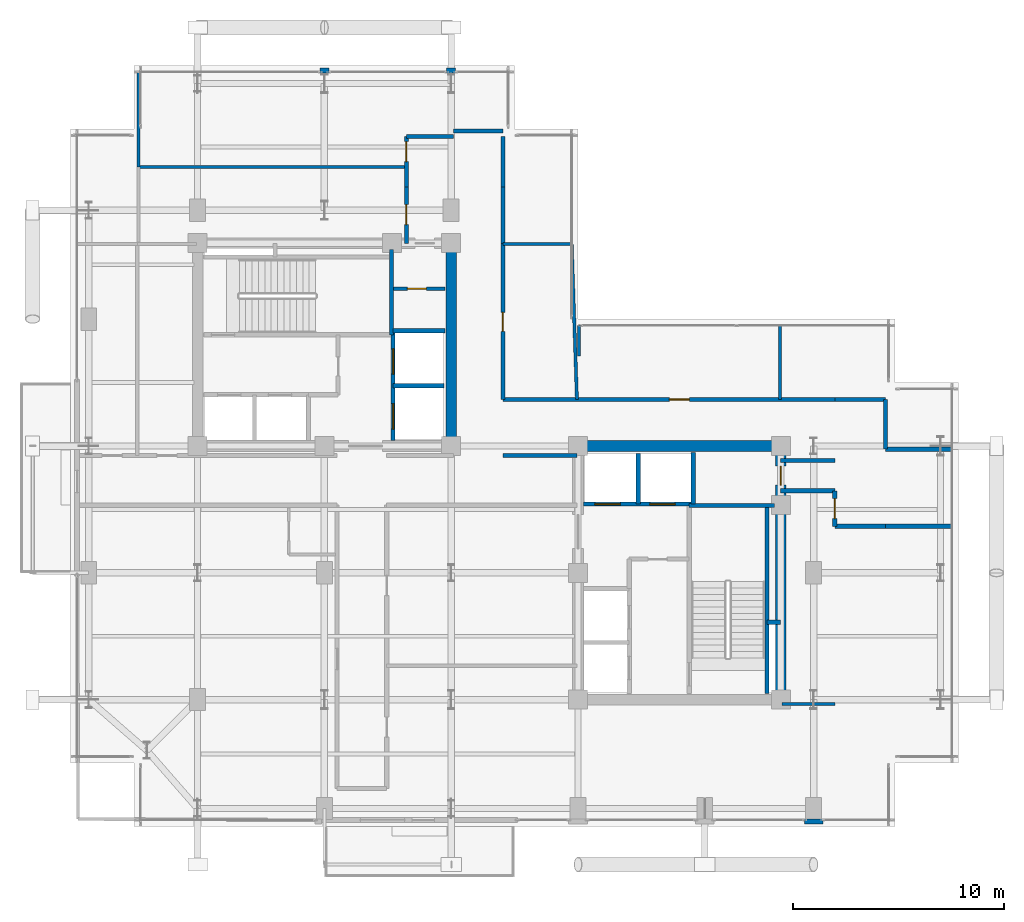
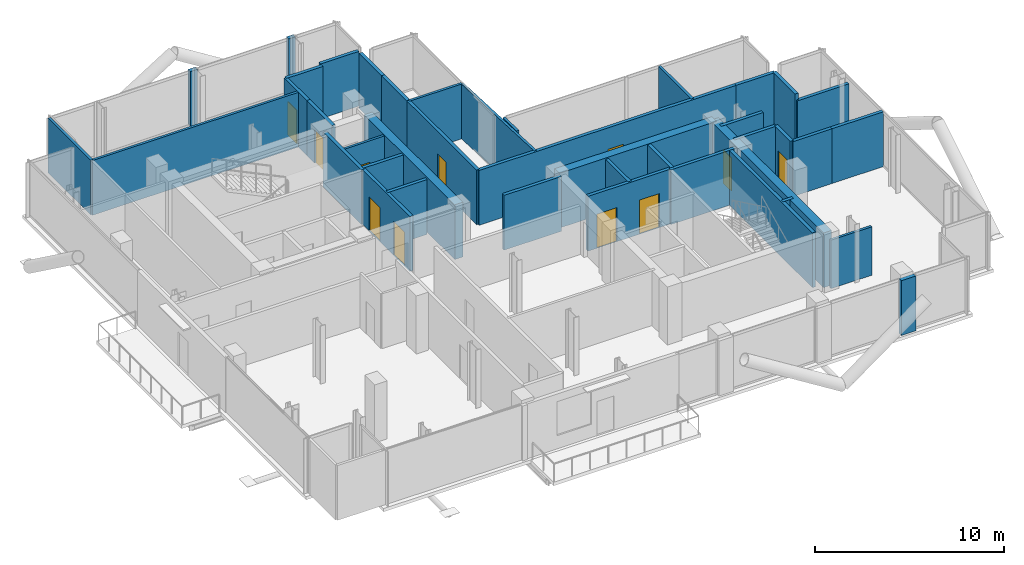
# One storey, part 18 of 21: 41 walls, 11 doors, 11 openings.
"""IFC4 building model written with IfcOpenShell, lengths in metres."""

from ifc_helpers import new_model, si_unit, direction, frame, frame_2d, origin, place, context, subcontext, project, spatial, rectangle, extrude, material, layer, layer_set, type_object, element, fill, save


model = new_model("IFC4")

# Units and contexts
model_context = context("Model", 3, precision=1e-05, world=origin(), true_north=direction((0.0, 1.0)))
body_context = subcontext(model_context, "Body", "Model", "MODEL_VIEW")
ifc_project = project(units=[si_unit("LENGTHUNIT", "METRE"), si_unit("AREAUNIT", "SQUARE_METRE"), si_unit("VOLUMEUNIT", "CUBIC_METRE"), si_unit("PLANEANGLEUNIT", "RADIAN"), si_unit("MASSUNIT", "GRAM", prefix="KILO"), si_unit("THERMODYNAMICTEMPERATUREUNIT", "KELVIN"), si_unit("POWERUNIT", "WATT")], contexts=[model_context])

# Site, building, storey
site_placement = place(None, origin())
site = spatial("IfcSite", under=ifc_project, at=site_placement, CompositionType="ELEMENT")
building_placement = place(site_placement, origin())
building = spatial("IfcBuilding", under=site, at=building_placement, Name="Svarakhadi Broadcast Tower", CompositionType="ELEMENT")
storey_placement = place(building_placement, frame((0.0, 0.0, 219.89990234375)))
storey = spatial("IfcBuildingStorey", under=building, at=storey_placement, Name="L54", CompositionType="ELEMENT", Elevation=219.89990234375)

# Walls
ifc_material_1 = material(Name="Concrete C40/50 (IS 456 M50)", Category="concrete")
ifc_layer_1 = layer(ifc_material_1, 0.239990234375)
ifc_layer_set_1 = layer_set([ifc_layer_1], Name="Concrete C40/50 (IS 456 M50)")
wall_type_1 = type_object("IfcWallType", Name="Wall_Ext_240", PredefinedType="SOLIDWALL", material=ifc_layer_set_1)
for number, where, z_axis, x_axis, name in (
    (1, (11.784912109375, 35.760009765625, 0.0), (0.0, 0.0, 1.0), (1.0, 0.0, 0.0), "L54 Perimeter Bronze Spandrel Closure Wall 01"),
    (2, (17.784912109375, 35.760009765625, 0.0), (0.0, 0.0, 1.0), (1.0, 0.0, 0.0), "L54 Perimeter Bronze Spandrel Closure Wall 02"),
):
    element("IfcWall", number, at=place(storey_placement, frame(where, z_axis=z_axis, x_axis=x_axis)), inside=storey, type_object=wall_type_1, Name=name, PredefinedType="SOLIDWALL", context=body_context, shape_type="SweptSolid", body=[
        extrude(rectangle(XDim=0.43017578125, YDim=0.239990234375, at=frame_2d((0.215087890625, 0.0))), origin(), (0.0, 0.0, 1.0), 3.5400390625),
    ])
wall_1_placement = place(storey_placement, frame((35.590087890625, 0.239990234375, 0.0), z_axis=(0.0, 0.0, 1.0), x_axis=(-1.0, 0.0, 0.0)))
element("IfcWall", 3, at=wall_1_placement, inside=storey, type_object=wall_type_1, Name="L54 Perimeter Bronze Spandrel Closure Wall 03", PredefinedType="SOLIDWALL", context=body_context, shape_type="SweptSolid", body=[
    extrude(rectangle(XDim=0.880126953125, YDim=0.239990234375, at=frame_2d((0.43994140625, 0.0))), origin(), (0.0, 0.0, 1.0), 3.5400390625),
])
ifc_layer_2 = layer(ifc_material_1, 0.199951171875)
ifc_layer_set_2 = layer_set([ifc_layer_2], Name="Concrete C40/50 (IS 456 M50)")
wall_type_2 = type_object("IfcWallType", Name="Wall_Fire_200", PredefinedType="SOLIDWALL", material=ifc_layer_set_2)
wall_2_placement = place(storey_placement, frame((32.93994140625, 9.659912109375, 0.0), z_axis=(0.0, 0.0, 1.0), x_axis=(1.0, 0.0, 0.0)))
element("IfcWall", 4, at=wall_2_placement, inside=storey, type_object=wall_type_2, Name="L54 HV Busduct Riser Shaft North Wall", PredefinedType="SOLIDWALL", context=body_context, shape_type="SweptSolid", body=[
    extrude(rectangle(XDim=0.64013671875, YDim=0.199951171875, at=frame_2d((0.320068359375, 0.0))), origin(), (0.0, 0.0, 1.0), 3.5400390625),
])

# Wall, opening, door
wall_3_placement = place(storey_placement, frame((15.8798828125, 27.580078125, 0.0), z_axis=(0.0, 0.0, 1.0), x_axis=(0.0, 1.0, 0.0)))
wall_3 = element("IfcWall", 5, at=wall_3_placement, inside=storey, type_object=wall_type_2, Name="L54 Upper Tower Concourse Wall", PredefinedType="SOLIDWALL", context=body_context, shape_type="SweptSolid", body=[
    extrude(rectangle(XDim=2.669921875, YDim=0.199951171875, at=frame_2d((1.3349609375, 0.0))), origin(), (0.0, 0.0, 1.0), 3.5400390625),
])
opening_1_placement = place(wall_3_placement, frame((0.89501953125, 0.0, 0.0)))
opening_1 = element("IfcOpeningElement", 6, at=opening_1_placement, cuts=wall_3, Name="Opening D-07", PredefinedType="OPENING", context=body_context, shape_type="SweptSolid", body=[
    extrude(rectangle(XDim=0.949951171875, YDim=2.14990234375, at=frame_2d((0.47509765625, 1.074951171875))), frame((0.0, 0.10986328125, 0.0), z_axis=(0.0, -1.0, 0.0), x_axis=(1.0, 0.0, 0.0)), (0.0, 0.0, 1.0), 0.219970703125),
])
ifc_material_2 = material(Name="Solid-Core Teak Veneer Acoustic Timber Leaf", Category="wood")
door_type_1 = type_object("IfcDoorType", Name="Door_Office_D07", OperationType="SINGLE_SWING_RIGHT", PredefinedType="DOOR", material=ifc_material_2)
door_1_placement = place(opening_1_placement, origin())
door_1 = element("IfcDoor", 7, at=door_1_placement, inside=storey, type_object=door_type_1, Name="L54 Ambassador Sky Lounge Door", OperationType="SINGLE_SWING_RIGHT", OverallHeight=2.14990234375, OverallWidth=0.949951171875, PredefinedType="DOOR", context=body_context, shape_type="SweptSolid", body=[
    extrude(rectangle(XDim=0.949951171875, YDim=2.14990234375, at=frame_2d((0.47509765625, 1.074951171875))), frame((0.0, 0.02490234375, 0.0), z_axis=(0.0, -1.0, 0.0), x_axis=(1.0, 0.0, 0.0)), (0.0, 0.0, 1.0), 0.050048828125),
])
fill(opening_1, door_1)

wall_4_placement = place(storey_placement, frame((15.8798828125, 30.25, 0.0), z_axis=(0.0, 0.0, 1.0), x_axis=(0.0, 1.0, 0.0)))
wall_4 = element("IfcWall", 8, at=wall_4_placement, inside=storey, type_object=wall_type_2, Name="L54 Upper Tower Concourse Wall", PredefinedType="SOLIDWALL", context=body_context, shape_type="SweptSolid", body=[
    extrude(rectangle(XDim=2.39990234375, YDim=0.199951171875, at=frame_2d((1.199951171875, 0.0))), origin(), (0.0, 0.0, 1.0), 3.5400390625),
])
opening_2_placement = place(wall_4_placement, frame((1.199951171875, 0.0, 0.0)))
opening_2 = element("IfcOpeningElement", 9, at=opening_2_placement, cuts=wall_4, Name="Opening D-07", PredefinedType="OPENING", context=body_context, shape_type="SweptSolid", body=[
    extrude(rectangle(XDim=0.949951171875, YDim=2.14990234375, at=frame_2d((0.47509765625, 1.074951171875))), frame((0.0, 0.10986328125, 0.0), z_axis=(0.0, -1.0, 0.0), x_axis=(1.0, 0.0, 0.0)), (0.0, 0.0, 1.0), 0.219970703125),
])
door_2_placement = place(opening_2_placement, origin())
door_2 = element("IfcDoor", 10, at=door_2_placement, inside=storey, type_object=door_type_1, Name="L54 Private Screening Boardroom Door", OperationType="SINGLE_SWING_RIGHT", OverallHeight=2.14990234375, OverallWidth=0.949951171875, PredefinedType="DOOR", context=body_context, shape_type="SweptSolid", body=[
    extrude(rectangle(XDim=0.949951171875, YDim=2.14990234375, at=frame_2d((0.47509765625, 1.074951171875))), frame((0.0, 0.02490234375, 0.0), z_axis=(0.0, -1.0, 0.0), x_axis=(1.0, 0.0, 0.0)), (0.0, 0.0, 1.0), 0.050048828125),
])
fill(opening_2, door_2)

# Walls
wall_5_placement = place(storey_placement, frame((15.8798828125, 32.64990234375, 0.0), z_axis=(0.0, 0.0, 1.0), x_axis=(1.0, 0.0, 0.0)))
element("IfcWall", 11, at=wall_5_placement, inside=storey, type_object=wall_type_2, Name="L54 Upper Tower Concourse Wall", PredefinedType="SOLIDWALL", context=body_context, shape_type="SweptSolid", body=[
    extrude(rectangle(XDim=2.22021484375, YDim=0.199951171875, at=frame_2d((1.110107421875, 0.0))), origin(), (0.0, 0.0, 1.0), 3.5400390625),
])
wall_6_placement = place(storey_placement, frame((18.10009765625, 32.89990234375, 0.0), z_axis=(0.0, 0.0, 1.0), x_axis=(1.0, 0.0, 0.0)))
element("IfcWall", 12, at=wall_6_placement, inside=storey, type_object=wall_type_2, Name="L54 Upper Tower Concourse Wall", PredefinedType="SOLIDWALL", context=body_context, shape_type="SweptSolid", body=[
    extrude(rectangle(XDim=2.349853515625, YDim=0.199951171875, at=frame_2d((1.1748046875, 0.0))), origin(), (0.0, 0.0, 1.0), 3.5400390625),
])
wall_7_placement = place(storey_placement, frame((20.449951171875, 32.64990234375, 0.0), z_axis=(0.0, 0.0, 1.0), x_axis=(0.0, -1.0, 0.0)))
element("IfcWall", 13, at=wall_7_placement, inside=storey, type_object=wall_type_2, Name="L54 Upper Tower Concourse Wall", PredefinedType="SOLIDWALL", context=body_context, shape_type="SweptSolid", body=[
    extrude(rectangle(XDim=2.39990234375, YDim=0.199951171875, at=frame_2d((1.199951171875, 0.0))), origin(), (0.0, 0.0, 1.0), 3.5400390625),
])
wall_8_placement = place(storey_placement, frame((20.449951171875, 30.25, 0.0), z_axis=(0.0, 0.0, 1.0), x_axis=(0.0, -1.0, 0.0)))
element("IfcWall", 14, at=wall_8_placement, inside=storey, type_object=wall_type_2, Name="L54 Upper Tower Concourse Wall", PredefinedType="SOLIDWALL", context=body_context, shape_type="SweptSolid", body=[
    extrude(rectangle(XDim=2.669921875, YDim=0.199951171875, at=frame_2d((1.3349609375, 0.0))), origin(), (0.0, 0.0, 1.0), 3.5400390625),
])

# Wall, opening, door
wall_9_placement = place(storey_placement, frame((20.449951171875, 27.580078125, 0.0), z_axis=(0.0, 0.0, 1.0), x_axis=(0.0, -1.0, 0.0)))
wall_9 = element("IfcWall", 15, at=wall_9_placement, inside=storey, type_object=wall_type_2, Name="L54 Upper Tower Concourse Wall", PredefinedType="SOLIDWALL", context=body_context, shape_type="SweptSolid", body=[
    extrude(rectangle(XDim=7.380126953125, YDim=0.199951171875, at=frame_2d((3.68994140625, 0.0))), origin(), (0.0, 0.0, 1.0), 3.5400390625),
])
opening_3_placement = place(wall_9_placement, frame((3.2548828125, 0.0, 0.0)))
opening_3 = element("IfcOpeningElement", 16, at=opening_3_placement, cuts=wall_9, Name="Opening D-12", PredefinedType="OPENING", context=body_context, shape_type="SweptSolid", body=[
    extrude(rectangle(XDim=0.89990234375, YDim=2.10009765625, at=frame_2d((0.449951171875, 1.050048828125))), frame((0.0, 0.10986328125, 0.0), z_axis=(0.0, -1.0, 0.0), x_axis=(1.0, 0.0, 0.0)), (0.0, 0.0, 1.0), 0.219970703125),
])
door_type_2 = type_object("IfcDoorType", Name="Door_WC_D01", OperationType="SINGLE_SWING_LEFT", PredefinedType="DOOR", material=ifc_material_2)
door_3_placement = place(opening_3_placement, origin())
door_3 = element("IfcDoor", 17, at=door_3_placement, inside=storey, type_object=door_type_2, Name="L54 Accessible Visitor Washroom WC Door", OperationType="SINGLE_SWING_LEFT", OverallHeight=2.10009765625, OverallWidth=0.89990234375, PredefinedType="DOOR", context=body_context, shape_type="SweptSolid", body=[
    extrude(rectangle(XDim=0.89990234375, YDim=2.10009765625, at=frame_2d((0.449951171875, 1.050048828125))), frame((0.0, 0.02490234375, 0.0), z_axis=(0.0, -1.0, 0.0), x_axis=(1.0, 0.0, 0.0)), (0.0, 0.0, 1.0), 0.050048828125),
])
fill(opening_3, door_3)

wall_10_placement = place(storey_placement, frame((20.449951171875, 20.199951171875, 0.0), z_axis=(0.0, 0.0, 1.0), x_axis=(1.0, 0.0, 0.0)))
wall_10 = element("IfcWall", 18, at=wall_10_placement, inside=storey, type_object=wall_type_2, Name="L54 Upper Tower Concourse Wall", PredefinedType="SOLIDWALL", context=body_context, shape_type="SweptSolid", body=[
    extrude(rectangle(XDim=15.699951171875, YDim=0.199951171875, at=frame_2d((7.85009765625, 0.0))), origin(), (0.0, 0.0, 1.0), 3.5400390625),
])
opening_4_placement = place(wall_10_placement, frame((7.875, 0.0, 0.0)))
opening_4 = element("IfcOpeningElement", 19, at=opening_4_placement, cuts=wall_10, Name="Opening D-07", PredefinedType="OPENING", context=body_context, shape_type="SweptSolid", body=[
    extrude(rectangle(XDim=0.949951171875, YDim=2.14990234375, at=frame_2d((0.47509765625, 1.074951171875))), frame((0.0, 0.10986328125, 0.0), z_axis=(0.0, -1.0, 0.0), x_axis=(1.0, 0.0, 0.0)), (0.0, 0.0, 1.0), 0.219970703125),
])
door_4_placement = place(opening_4_placement, origin())
door_4 = element("IfcDoor", 20, at=door_4_placement, inside=storey, type_object=door_type_1, Name="L54 Harbour Sky Club Reading Room Door", OperationType="SINGLE_SWING_RIGHT", OverallHeight=2.14990234375, OverallWidth=0.949951171875, PredefinedType="DOOR", context=body_context, shape_type="SweptSolid", body=[
    extrude(rectangle(XDim=0.949951171875, YDim=2.14990234375, at=frame_2d((0.47509765625, 1.074951171875))), frame((0.0, 0.02490234375, 0.0), z_axis=(0.0, -1.0, 0.0), x_axis=(1.0, 0.0, 0.0)), (0.0, 0.0, 1.0), 0.050048828125),
])
fill(opening_4, door_4)

# Walls
wall_11_placement = place(storey_placement, frame((36.14990234375, 20.199951171875, 0.0), z_axis=(0.0, 0.0, 1.0), x_axis=(1.0, 0.0, 0.0)))
element("IfcWall", 21, at=wall_11_placement, inside=storey, type_object=wall_type_2, Name="L54 Upper Tower Concourse Wall", PredefinedType="SOLIDWALL", context=body_context, shape_type="SweptSolid", body=[
    extrude(rectangle(XDim=2.400146484375, YDim=0.199951171875, at=frame_2d((1.2001953125, 0.0))), origin(), (0.0, 0.0, 1.0), 3.5400390625),
])
wall_12_placement = place(storey_placement, frame((38.550048828125, 20.199951171875, 0.0), z_axis=(0.0, 0.0, 1.0), x_axis=(0.0, -1.0, 0.0)))
element("IfcWall", 22, at=wall_12_placement, inside=storey, type_object=wall_type_2, Name="L54 Upper Tower Concourse Wall", PredefinedType="SOLIDWALL", context=body_context, shape_type="SweptSolid", body=[
    extrude(rectangle(XDim=2.349853515625, YDim=0.199951171875, at=frame_2d((1.1748046875, 0.0))), origin(), (0.0, 0.0, 1.0), 3.5400390625),
])
wall_13_placement = place(storey_placement, frame((38.550048828125, 17.85009765625, 0.0), z_axis=(0.0, 0.0, 1.0), x_axis=(1.0, 0.0, 0.0)))
element("IfcWall", 23, at=wall_13_placement, inside=storey, type_object=wall_type_2, Name="L54 Upper Tower Concourse Wall", PredefinedType="SOLIDWALL", context=body_context, shape_type="SweptSolid", body=[
    extrude(rectangle(XDim=3.14990234375, YDim=0.199951171875, at=frame_2d((1.574951171875, 0.0))), origin(), (0.0, 0.0, 1.0), 3.132080078125),
])
wall_14_placement = place(storey_placement, frame((41.699951171875, 14.199951171875, 0.0), z_axis=(0.0, 0.0, 1.0), x_axis=(-1.0, 0.0, 0.0)))
element("IfcWall", 24, at=wall_14_placement, inside=storey, type_object=wall_type_2, Name="L54 Upper Tower Concourse Wall", PredefinedType="SOLIDWALL", context=body_context, shape_type="SweptSolid", body=[
    extrude(rectangle(XDim=3.14990234375, YDim=0.199951171875, at=frame_2d((1.574951171875, 0.0))), origin(), (0.0, 0.0, 1.0), 3.5400390625),
])
wall_15_placement = place(storey_placement, frame((38.550048828125, 14.199951171875, 0.0), z_axis=(0.0, 0.0, 1.0), x_axis=(-1.0, 0.0, 0.0)))
element("IfcWall", 25, at=wall_15_placement, inside=storey, type_object=wall_type_2, Name="L54 Upper Tower Concourse Wall", PredefinedType="SOLIDWALL", context=body_context, shape_type="SweptSolid", body=[
    extrude(rectangle(XDim=2.400146484375, YDim=0.199951171875, at=frame_2d((1.2001953125, 0.0))), origin(), (0.0, 0.0, 1.0), 3.5400390625),
])

# Wall, opening, door
wall_16_placement = place(storey_placement, frame((36.14990234375, 14.199951171875, 0.0), z_axis=(0.0, 0.0, 1.0), x_axis=(0.0, 1.0, 0.0)))
wall_16 = element("IfcWall", 26, at=wall_16_placement, inside=storey, type_object=wall_type_2, Name="L54 Upper Tower Concourse Wall", PredefinedType="SOLIDWALL", context=body_context, shape_type="SweptSolid", body=[
    extrude(rectangle(XDim=1.679931640625, YDim=0.199951171875, at=frame_2d((0.83984375, 0.0))), origin(), (0.0, 0.0, 1.0), 3.5400390625),
])
opening_5_placement = place(wall_16_placement, frame((0.364990234375, 0.0, 0.0)))
opening_5 = element("IfcOpeningElement", 27, at=opening_5_placement, cuts=wall_16, Name="Opening D-06", PredefinedType="OPENING", context=body_context, shape_type="SweptSolid", body=[
    extrude(rectangle(XDim=0.949951171875, YDim=2.14990234375, at=frame_2d((0.47509765625, 1.074951171875))), frame((0.0, 0.10986328125, 0.0), z_axis=(0.0, -1.0, 0.0), x_axis=(1.0, 0.0, 0.0)), (0.0, 0.0, 1.0), 0.219970703125),
])
door_type_3 = type_object("IfcDoorType", Name="Door_Office_D06", OperationType="SINGLE_SWING_LEFT", PredefinedType="DOOR", material=ifc_material_2)
door_5_placement = place(opening_5_placement, origin())
door_5 = element("IfcDoor", 28, at=door_5_placement, inside=storey, type_object=door_type_3, Name="L54 Harbour Club Reading Salon Door", OperationType="SINGLE_SWING_LEFT", OverallHeight=2.14990234375, OverallWidth=0.949951171875, PredefinedType="DOOR", context=body_context, shape_type="SweptSolid", body=[
    extrude(rectangle(XDim=0.949951171875, YDim=2.14990234375, at=frame_2d((0.47509765625, 1.074951171875))), frame((0.0, 0.02490234375, 0.0), z_axis=(0.0, -1.0, 0.0), x_axis=(1.0, 0.0, 0.0)), (0.0, 0.0, 1.0), 0.050048828125),
])
fill(opening_5, door_5)

# Walls
for number, where, z_axis, x_axis, name in (
    (29, (36.14990234375, 15.8798828125, 0.0), (0.0, 0.0, 1.0), (-1.0, 0.0, 0.0), "L54 Upper Tower Concourse Wall"),
    (30, (33.580078125, 17.320068359375, 0.0), (0.0, 0.0, 1.0), (1.0, 0.0, 0.0), "L54 Upper Tower Concourse Wall"),
):
    element("IfcWall", number, at=place(storey_placement, frame(where, z_axis=z_axis, x_axis=x_axis)), inside=storey, type_object=wall_type_2, Name=name, PredefinedType="SOLIDWALL", context=body_context, shape_type="SweptSolid", body=[
        extrude(rectangle(XDim=2.56982421875, YDim=0.199951171875, at=frame_2d((1.284912109375, 0.0))), origin(), (0.0, 0.0, 1.0), 3.5400390625),
    ])
wall_17_placement = place(storey_placement, frame((20.449951171875, 17.550048828125, 0.0), z_axis=(0.0, 0.0, 1.0), x_axis=(1.0, 0.0, 0.0)))
element("IfcWall", 31, at=wall_17_placement, inside=storey, type_object=wall_type_2, Name="L54 Upper Tower Concourse Wall", PredefinedType="SOLIDWALL", context=body_context, shape_type="SweptSolid", body=[
    extrude(rectangle(XDim=3.5, YDim=0.199951171875, at=frame_2d((1.75, 0.0))), origin(), (0.0, 0.0, 1.0), 3.5400390625),
])

# Wall, opening, door
ifc_material_3 = material(Name="Autoclaved Aerated Concrete Blockwork 150 mm", Category="masonry")
ifc_layer_3 = layer(ifc_material_3, 0.14990234375)
ifc_layer_set_3 = layer_set([ifc_layer_3], Name="Autoclaved Aerated Concrete Blockwork 150 mm")
wall_type_3 = type_object("IfcWallType", Name="Wall_Part_150", PredefinedType="PARTITIONING", material=ifc_layer_set_3)
wall_18_placement = place(storey_placement, frame((15.280029296875, 25.43994140625, 0.0), z_axis=(0.0, 0.0, 1.0), x_axis=(1.0, 0.0, 0.0)))
wall_18 = element("IfcWall", 32, at=wall_18_placement, inside=storey, type_object=wall_type_3, Name="L54 West Core Service Split Wall", PredefinedType="PARTITIONING", context=body_context, shape_type="SweptSolid", body=[
    extrude(rectangle(XDim=2.419921875, YDim=0.14990234375, at=frame_2d((1.2099609375, 0.0))), origin(), (0.0, 0.0, 1.0), 3.5400390625),
])
opening_6_placement = place(wall_18_placement, frame((0.64990234375, 0.0, 0.0)))
opening_6 = element("IfcOpeningElement", 33, at=opening_6_placement, cuts=wall_18, Name="Opening D-04", PredefinedType="OPENING", context=body_context, shape_type="SweptSolid", body=[
    extrude(rectangle(XDim=0.89990234375, YDim=2.14990234375, at=frame_2d((0.449951171875, 1.074951171875))), frame((0.0, 0.0849609375, 0.0), z_axis=(0.0, -1.0, 0.0), x_axis=(1.0, 0.0, 0.0)), (0.0, 0.0, 1.0), 0.169921875),
])
ifc_material_4 = material(Name="Galvanised Powder-Coated Fire-Rated Steel Leaf", Category="steel")
door_type_4 = type_object("IfcDoorType", Name="Door_Fire_D04", OperationType="SINGLE_SWING_RIGHT", PredefinedType="DOOR", material=ifc_material_4)
door_6_placement = place(opening_6_placement, origin())
door_6 = element("IfcDoor", 34, at=door_6_placement, inside=storey, type_object=door_type_4, Name="L54 West Core Inner Store Door", OperationType="SINGLE_SWING_RIGHT", OverallHeight=2.14990234375, OverallWidth=0.89990234375, PredefinedType="DOOR", context=body_context, shape_type="SweptSolid", body=[
    extrude(rectangle(XDim=0.89990234375, YDim=2.14990234375, at=frame_2d((0.449951171875, 1.074951171875))), frame((0.0, 0.02490234375, 0.0), z_axis=(0.0, -1.0, 0.0), x_axis=(1.0, 0.0, 0.0)), (0.0, 0.0, 1.0), 0.050048828125),
])
fill(opening_6, door_6)

# Walls
wall_19_placement = place(storey_placement, frame((20.449951171875, 27.550048828125, 0.0), z_axis=(0.0, 0.0, 1.0), x_axis=(1.0, 0.0, 0.0)))
element("IfcWall", 35, at=wall_19_placement, inside=storey, type_object=wall_type_3, Name="L54 Accessible Visitor Washroom WC Wall", PredefinedType="PARTITIONING", context=body_context, shape_type="SweptSolid", body=[
    extrude(rectangle(XDim=3.25, YDim=0.14990234375, at=frame_2d((1.625, 0.0))), origin(), (0.0, 0.0, 1.0), 3.5400390625),
])
wall_20_placement = place(storey_placement, frame((23.949951171875, 20.199951171875, 0.0), z_axis=(0.0, 0.0, 1.0), x_axis=(-0.033993495762, 0.999422054112, 0.0)))
element("IfcWall", 36, at=wall_20_placement, inside=storey, type_object=wall_type_3, Name="L54 Accessible Visitor Washroom WC Wall", PredefinedType="PARTITIONING", context=body_context, shape_type="SweptSolid", body=[
    extrude(rectangle(XDim=7.354248046875, YDim=0.14990234375, at=frame_2d((3.67724609375, 0.0))), origin(), (0.0, 0.0, 1.0), 3.5400390625),
])
wall_21_placement = place(storey_placement, frame((24.050048828125, 22.260986328125, 0.0), z_axis=(0.0, 0.0, 1.0), x_axis=(0.0, 1.0, 0.0)))
element("IfcWall", 37, at=wall_21_placement, inside=storey, type_object=wall_type_3, Name="L54 Harbour Sky Club Reading Room Wall", PredefinedType="PARTITIONING", context=body_context, shape_type="SweptSolid", body=[
    extrude(rectangle(XDim=1.43896484375, YDim=0.14990234375, at=frame_2d((0.719482421875, 0.0))), origin(), (0.0, 0.0, 1.0), 3.5400390625),
])
wall_22_placement = place(storey_placement, frame((33.550048828125, 20.199951171875, 0.0), z_axis=(0.0, 0.0, 1.0), x_axis=(0.0, 1.0, 0.0)))
element("IfcWall", 38, at=wall_22_placement, inside=storey, type_object=wall_type_3, Name="L54 Harbour Sky Club Reading Room Wall", PredefinedType="PARTITIONING", context=body_context, shape_type="SweptSolid", body=[
    extrude(rectangle(XDim=3.5, YDim=0.14990234375, at=frame_2d((1.75, 0.0))), origin(), (0.0, 0.0, 1.0), 3.5400390625),
])
wall_23_placement = place(storey_placement, frame((33.64990234375, 5.800048828125, 0.0), z_axis=(0.0, 0.0, 1.0), x_axis=(1.0, 0.0, 0.0)))
element("IfcWall", 39, at=wall_23_placement, inside=storey, type_object=wall_type_3, Name="L54 Harbour Club Reading Salon Wall", PredefinedType="PARTITIONING", context=body_context, shape_type="SweptSolid", body=[
    extrude(rectangle(XDim=2.5, YDim=0.14990234375, at=frame_2d((1.25, 0.0))), origin(), (0.0, 0.0, 1.0), 3.132080078125),
])
wall_24_placement = place(storey_placement, frame((3.199951171875, 31.199951171875, 0.0), z_axis=(0.0, 0.0, 1.0), x_axis=(1.0, 0.0, 0.0)))
element("IfcWall", 40, at=wall_24_placement, inside=storey, type_object=wall_type_3, Name="L54 Ambassador Sky Lounge Wall", PredefinedType="PARTITIONING", context=body_context, shape_type="SweptSolid", body=[
    extrude(rectangle(XDim=12.679931640625, YDim=0.14990234375, at=frame_2d((6.33984375, 0.0))), origin(), (0.0, 0.0, 1.0), 3.5400390625),
])
wall_25_placement = place(storey_placement, frame((3.199951171875, 31.199951171875, 0.0), z_axis=(0.0, 0.0, 1.0), x_axis=(0.0, 1.0, 0.0)))
element("IfcWall", 41, at=wall_25_placement, inside=storey, type_object=wall_type_3, Name="L54 Private Screening Boardroom Wall", PredefinedType="PARTITIONING", context=body_context, shape_type="SweptSolid", body=[
    extrude(rectangle(XDim=4.5, YDim=0.14990234375, at=frame_2d((2.25, 0.0))), origin(), (0.0, 0.0, 1.0), 3.5400390625),
])
ifc_material_5 = material(Name="Concrete C50/60 (IS 456 M60)", Category="concrete")
ifc_layer_4 = layer(ifc_material_5, 0.199951171875)
ifc_layer_set_4 = layer_set([ifc_layer_4], Name="Concrete C50/60 (IS 456 M60)")
wall_type_4 = type_object("IfcWallType", Name="Wall_Shear_200", PredefinedType="SHEAR", material=ifc_layer_set_4)
wall_26_placement = place(storey_placement, frame((15.179931640625, 23.260009765625, 0.0), z_axis=(0.0, 0.0, 1.0), x_axis=(0.0, 1.0, 0.0)))
element("IfcWall", 42, at=wall_26_placement, inside=storey, type_object=wall_type_4, Name="L54 Stair ST-01 East RC Shaft Wall", PredefinedType="SHEAR", context=body_context, shape_type="SweptSolid", body=[
    extrude(rectangle(XDim=4.0400390625, YDim=0.199951171875, at=frame_2d((2.02001953125, 0.0))), origin(), (0.0, 0.0, 1.0), 3.5400390625),
])
wall_27_placement = place(storey_placement, frame((32.93994140625, 6.300048828125, 0.0), z_axis=(0.0, 0.0, 1.0), x_axis=(0.0, 1.0, 0.0)))
element("IfcWall", 43, at=wall_27_placement, inside=storey, type_object=wall_type_4, Name="L54 Stair ST-02 East RC Shaft Wall", PredefinedType="SHEAR", context=body_context, shape_type="SweptSolid", body=[
    extrude(rectangle(XDim=8.8798828125, YDim=0.199951171875, at=frame_2d((4.43994140625, 0.0))), origin(), (0.0, 0.0, 1.0), 3.5400390625),
])
wall_28_placement = place(storey_placement, frame((29.260009765625, 15.179931640625, 0.0), z_axis=(0.0, 0.0, 1.0), x_axis=(1.0, 0.0, 0.0)))
element("IfcWall", 44, at=wall_28_placement, inside=storey, type_object=wall_type_4, Name="L54 Stair ST-02 North RC Shaft Wall", PredefinedType="SHEAR", context=body_context, shape_type="SweptSolid", body=[
    extrude(rectangle(XDim=4.0400390625, YDim=0.199951171875, at=frame_2d((2.02001953125, 0.0))), origin(), (0.0, 0.0, 1.0), 3.5400390625),
])

# Wall, openings, doors
wall_29_placement = place(storey_placement, frame((15.25, 18.25, 0.0), z_axis=(0.0, 0.0, 1.0), x_axis=(0.0, 1.0, 0.0)))
wall_29 = element("IfcWall", 45, at=wall_29_placement, inside=storey, type_object=wall_type_4, Name="L54 High-Rise Lift LF-13/14 West Shaft Wall", PredefinedType="SHEAR", context=body_context, shape_type="SweptSolid", body=[
    extrude(rectangle(XDim=5.199951171875, YDim=0.199951171875, at=frame_2d((2.60009765625, 0.0))), origin(), (0.0, 0.0, 1.0), 3.5400390625),
])
opening_7_placement = place(wall_29_placement, frame((0.550048828125, 0.0, 0.0)))
opening_7 = element("IfcOpeningElement", 46, at=opening_7_placement, cuts=wall_29, Name="Opening LD-02", PredefinedType="OPENING", context=body_context, shape_type="SweptSolid", body=[
    extrude(rectangle(XDim=1.199951171875, YDim=2.199951171875, at=frame_2d((0.60009765625, 1.10009765625))), frame((0.0, 0.10986328125, 0.0), z_axis=(0.0, -1.0, 0.0), x_axis=(1.0, 0.0, 0.0)), (0.0, 0.0, 1.0), 0.219970703125),
])
opening_8_placement = place(wall_29_placement, frame((3.14990234375, 0.0, 0.0)))
opening_8 = element("IfcOpeningElement", 47, at=opening_8_placement, cuts=wall_29, Name="Opening LD-02", PredefinedType="OPENING", context=body_context, shape_type="SweptSolid", body=[
    extrude(rectangle(XDim=1.199951171875, YDim=2.199951171875, at=frame_2d((0.60009765625, 1.10009765625))), frame((0.0, 0.10986328125, 0.0), z_axis=(0.0, -1.0, 0.0), x_axis=(1.0, 0.0, 0.0)), (0.0, 0.0, 1.0), 0.219970703125),
])
door_type_5 = type_object("IfcDoorType", Name="Door_Lift_LD02", OperationType="SLIDING_TO_RIGHT", PredefinedType="DOOR", material=ifc_material_4)
door_7_placement = place(opening_7_placement, origin())
door_7 = element("IfcDoor", 48, at=door_7_placement, inside=storey, type_object=door_type_5, Name="L54 High-Rise Lift LF-13 Landing Door", OperationType="SLIDING_TO_RIGHT", OverallHeight=2.199951171875, OverallWidth=1.199951171875, PredefinedType="DOOR", context=body_context, shape_type="SweptSolid", body=[
    extrude(rectangle(XDim=1.199951171875, YDim=2.199951171875, at=frame_2d((0.60009765625, 1.10009765625))), frame((0.0, 0.02490234375, 0.0), z_axis=(0.0, -1.0, 0.0), x_axis=(1.0, 0.0, 0.0)), (0.0, 0.0, 1.0), 0.050048828125),
])
fill(opening_7, door_7)
door_8_placement = place(opening_8_placement, origin())
door_8 = element("IfcDoor", 49, at=door_8_placement, inside=storey, type_object=door_type_5, Name="L54 High-Rise Lift LF-14 Landing Door", OperationType="SLIDING_TO_RIGHT", OverallHeight=2.199951171875, OverallWidth=1.199951171875, PredefinedType="DOOR", context=body_context, shape_type="SweptSolid", body=[
    extrude(rectangle(XDim=1.199951171875, YDim=2.199951171875, at=frame_2d((0.60009765625, 1.10009765625))), frame((0.0, 0.02490234375, 0.0), z_axis=(0.0, -1.0, 0.0), x_axis=(1.0, 0.0, 0.0)), (0.0, 0.0, 1.0), 0.050048828125),
])
fill(opening_8, door_8)

# Walls
wall_30_placement = place(storey_placement, frame((15.25, 20.85009765625, 0.0), z_axis=(0.0, 0.0, 1.0), x_axis=(1.0, 0.0, 0.0)))
element("IfcWall", 50, at=wall_30_placement, inside=storey, type_object=wall_type_4, Name="L54 High-Rise Lift LF-13/14 Divider", PredefinedType="SHEAR", context=body_context, shape_type="SweptSolid", body=[
    extrude(rectangle(XDim=2.39990234375, YDim=0.199951171875, at=frame_2d((1.199951171875, 0.0))), origin(), (0.0, 0.0, 1.0), 3.5400390625),
])
wall_31_placement = place(storey_placement, frame((15.25, 23.449951171875, 0.0), z_axis=(0.0, 0.0, 1.0), x_axis=(1.0, 0.0, 0.0)))
element("IfcWall", 51, at=wall_31_placement, inside=storey, type_object=wall_type_4, Name="L54 High-Rise Lift LF-13/14 North Wall", PredefinedType="SHEAR", context=body_context, shape_type="SweptSolid", body=[
    extrude(rectangle(XDim=2.449951171875, YDim=0.199951171875, at=frame_2d((1.22509765625, 0.0))), origin(), (0.0, 0.0, 1.0), 3.5400390625),
])

# Wall, openings, doors
wall_32_placement = place(storey_placement, frame((24.25, 15.25, 0.0), z_axis=(0.0, 0.0, 1.0), x_axis=(1.0, 0.0, 0.0)))
wall_32 = element("IfcWall", 52, at=wall_32_placement, inside=storey, type_object=wall_type_4, Name="L54 High-Rise Lift LF-15/16 South Shaft Wall", PredefinedType="SHEAR", context=body_context, shape_type="SweptSolid", body=[
    extrude(rectangle(XDim=5.199951171875, YDim=0.199951171875, at=frame_2d((2.60009765625, 0.0))), origin(), (0.0, 0.0, 1.0), 3.5400390625),
])
opening_9_placement = place(wall_32_placement, frame((0.550048828125, 0.0, 0.0)))
opening_9 = element("IfcOpeningElement", 53, at=opening_9_placement, cuts=wall_32, Name="Opening LD-02", PredefinedType="OPENING", context=body_context, shape_type="SweptSolid", body=[
    extrude(rectangle(XDim=1.199951171875, YDim=2.199951171875, at=frame_2d((0.60009765625, 1.10009765625))), frame((0.0, 0.10986328125, 0.0), z_axis=(0.0, -1.0, 0.0), x_axis=(1.0, 0.0, 0.0)), (0.0, 0.0, 1.0), 0.219970703125),
])
opening_10_placement = place(wall_32_placement, frame((3.14990234375, 0.0, 0.0)))
opening_10 = element("IfcOpeningElement", 54, at=opening_10_placement, cuts=wall_32, Name="Opening LD-02", PredefinedType="OPENING", context=body_context, shape_type="SweptSolid", body=[
    extrude(rectangle(XDim=1.199951171875, YDim=2.199951171875, at=frame_2d((0.60009765625, 1.10009765625))), frame((0.0, 0.10986328125, 0.0), z_axis=(0.0, -1.0, 0.0), x_axis=(1.0, 0.0, 0.0)), (0.0, 0.0, 1.0), 0.219970703125),
])
door_9_placement = place(opening_9_placement, origin())
door_9 = element("IfcDoor", 55, at=door_9_placement, inside=storey, type_object=door_type_5, Name="L54 High-Rise Lift LF-15 Landing Door", OperationType="SLIDING_TO_RIGHT", OverallHeight=2.199951171875, OverallWidth=1.199951171875, PredefinedType="DOOR", context=body_context, shape_type="SweptSolid", body=[
    extrude(rectangle(XDim=1.199951171875, YDim=2.199951171875, at=frame_2d((0.60009765625, 1.10009765625))), frame((0.0, 0.02490234375, 0.0), z_axis=(0.0, -1.0, 0.0), x_axis=(1.0, 0.0, 0.0)), (0.0, 0.0, 1.0), 0.050048828125),
])
fill(opening_9, door_9)
door_10_placement = place(opening_10_placement, origin())
door_10 = element("IfcDoor", 56, at=door_10_placement, inside=storey, type_object=door_type_5, Name="L54 High-Rise Lift LF-16 Landing Door", OperationType="SLIDING_TO_RIGHT", OverallHeight=2.199951171875, OverallWidth=1.199951171875, PredefinedType="DOOR", context=body_context, shape_type="SweptSolid", body=[
    extrude(rectangle(XDim=1.199951171875, YDim=2.199951171875, at=frame_2d((0.60009765625, 1.10009765625))), frame((0.0, 0.02490234375, 0.0), z_axis=(0.0, -1.0, 0.0), x_axis=(1.0, 0.0, 0.0)), (0.0, 0.0, 1.0), 0.050048828125),
])
fill(opening_10, door_10)

# Walls
wall_33_placement = place(storey_placement, frame((26.85009765625, 15.25, 0.0), z_axis=(0.0, 0.0, 1.0), x_axis=(0.0, 1.0, 0.0)))
element("IfcWall", 57, at=wall_33_placement, inside=storey, type_object=wall_type_4, Name="L54 High-Rise Lift LF-15/16 Divider", PredefinedType="SHEAR", context=body_context, shape_type="SweptSolid", body=[
    extrude(rectangle(XDim=2.39990234375, YDim=0.199951171875, at=frame_2d((1.199951171875, 0.0))), origin(), (0.0, 0.0, 1.0), 3.5400390625),
])
wall_34_placement = place(storey_placement, frame((29.449951171875, 15.25, 0.0), z_axis=(0.0, 0.0, 1.0), x_axis=(0.0, 1.0, 0.0)))
element("IfcWall", 58, at=wall_34_placement, inside=storey, type_object=wall_type_4, Name="L54 High-Rise Lift LF-15/16 East Wall", PredefinedType="SHEAR", context=body_context, shape_type="SweptSolid", body=[
    extrude(rectangle(XDim=2.449951171875, YDim=0.199951171875, at=frame_2d((1.22509765625, 0.0))), origin(), (0.0, 0.0, 1.0), 3.5400390625),
])
ifc_layer_5 = layer(ifc_material_5, 0.5)
ifc_layer_set_5 = layer_set([ifc_layer_5], Name="Concrete C50/60 (IS 456 M60)")
wall_type_5 = type_object("IfcWallType", Name="Wall_Shear_500", PredefinedType="SHEAR", material=ifc_layer_set_5)
for number, where, z_axis, x_axis, name in (
    (59, (18.0, 18.0, 0.0), (0.0, 0.0, 1.0), (0.0, 1.0, 0.0), "L54 West Core East Shear Wall"),
    (60, (24.0, 18.0, 0.0), (0.0, 0.0, 1.0), (1.0, 0.0, 0.0), "L54 East Core North Shear Wall"),
):
    element("IfcWall", number, at=place(storey_placement, frame(where, z_axis=z_axis, x_axis=x_axis)), inside=storey, type_object=wall_type_5, Name=name, PredefinedType="SHEAR", context=body_context, shape_type="SweptSolid", body=[
        extrude(rectangle(XDim=9.60009765625, YDim=0.5, at=frame_2d((4.800048828125, 0.0))), origin(), (0.0, 0.0, 1.0), 3.5400390625),
    ])

# Wall, opening, door
wall_35_placement = place(storey_placement, frame((33.60009765625, 6.0, 0.0), z_axis=(0.0, 0.0, 1.0), x_axis=(0.0, 1.0, 0.0)))
wall_35 = element("IfcWall", 61, at=wall_35_placement, inside=storey, type_object=wall_type_5, Name="L54 East Core East Shear Wall", PredefinedType="SHEAR", context=body_context, shape_type="SweptSolid", body=[
    extrude(rectangle(XDim=12.0, YDim=0.5, at=frame_2d((6.0, 0.0))), origin(), (0.0, 0.0, 1.0), 3.5400390625),
])
opening_11_placement = place(wall_35_placement, frame((10.14990234375, 0.0, 0.0)))
opening_11 = element("IfcOpeningElement", 62, at=opening_11_placement, cuts=wall_35, Name="Opening D-03", PredefinedType="OPENING", context=body_context, shape_type="SweptSolid", body=[
    extrude(rectangle(XDim=0.89990234375, YDim=2.14990234375, at=frame_2d((0.449951171875, 1.074951171875))), frame((0.0, 0.260009765625, 0.0), z_axis=(0.0, -1.0, 0.0), x_axis=(1.0, 0.0, 0.0)), (0.0, 0.0, 1.0), 0.52001953125),
])
door_type_6 = type_object("IfcDoorType", Name="Door_Fire_D03", OperationType="SINGLE_SWING_LEFT", PredefinedType="DOOR", material=ifc_material_4)
door_11_placement = place(opening_11_placement, origin())
door_11 = element("IfcDoor", 63, at=door_11_placement, inside=storey, type_object=door_type_6, Name="L54 East Core Service Store Door", OperationType="SINGLE_SWING_LEFT", OverallHeight=2.14990234375, OverallWidth=0.89990234375, PredefinedType="DOOR", context=body_context, shape_type="SweptSolid", body=[
    extrude(rectangle(XDim=0.89990234375, YDim=2.14990234375, at=frame_2d((0.449951171875, 1.074951171875))), frame((0.0, 0.02490234375, 0.0), z_axis=(0.0, -1.0, 0.0), x_axis=(1.0, 0.0, 0.0)), (0.0, 0.0, 1.0), 0.050048828125),
])
fill(opening_11, door_11)

save(model, "model.ifc")
